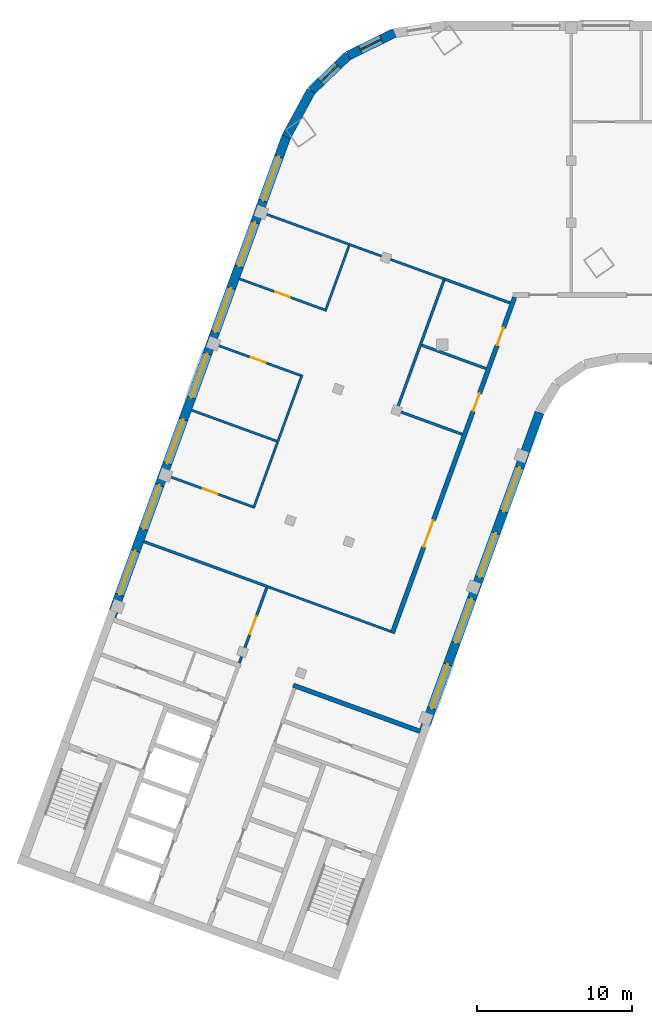
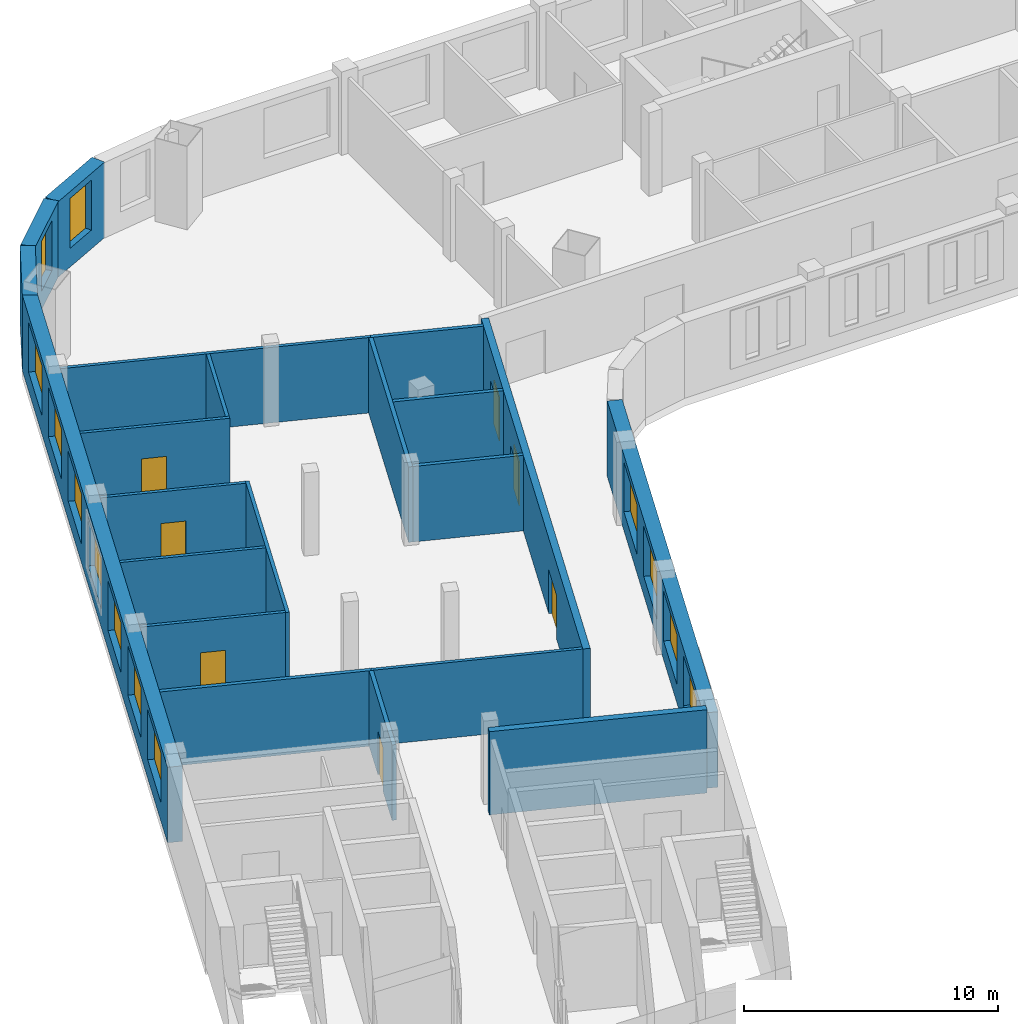
# One storey, part 3 of 8: 21 walls, 13 windows, 7 doors, 20 openings.
"""IFC4 building model written with IfcOpenShell, lengths in metres."""

from ifc_helpers import new_model, si_unit, direction, frame, frame_2d, origin, place, context, subcontext, project, spatial, rectangle, extrude, material, layer, layer_set, type_object, element, fill, save


model = new_model("IFC4")

# Units and contexts
model_context = context("Model", 3, precision=1e-05, world=origin(), true_north=direction((0.0, 1.0)))
body_context = subcontext(model_context, "Body", "Model", "MODEL_VIEW")
ifc_project = project(units=[si_unit("LENGTHUNIT", "METRE"), si_unit("AREAUNIT", "SQUARE_METRE"), si_unit("VOLUMEUNIT", "CUBIC_METRE"), si_unit("PLANEANGLEUNIT", "RADIAN"), si_unit("MASSUNIT", "GRAM", prefix="KILO")], contexts=[model_context])

# Site, building, storey
site_placement = place(None, origin())
site = spatial("IfcSite", under=ifc_project, at=site_placement, CompositionType="ELEMENT")
building_placement = place(site_placement, origin())
building = spatial("IfcBuilding", under=site, at=building_placement, Name="Skarvind Civic Tower", CompositionType="ELEMENT")
storey_placement = place(building_placement, frame((0.0, 0.0, 224.0)))
storey = spatial("IfcBuildingStorey", under=building, at=storey_placement, Name="L53", CompositionType="ELEMENT", Elevation=224.0)

# Wall
ifc_material_1 = material(Name="Acoustic gypsum board on steel studs", Category="steel")
ifc_layer_1 = layer(ifc_material_1, 0.175048828125)
ifc_layer_set_1 = layer_set([ifc_layer_1], Name="ACOUSTIC MEETING-ROOM PARTITION 175")
wall_type_1 = type_object("IfcWallType", Name="ACOUSTIC MEETING-ROOM PARTITION 175", PredefinedType="PARTITIONING", material=ifc_layer_set_1)
wall_1_placement = place(storey_placement, frame((26.736083984375, 105.47998046875, 0.0), z_axis=(0.0, 0.0, 1.0), x_axis=(0.939706509432, -0.341981982173, 0.0)))
element("IfcWall", 1, at=wall_1_placement, inside=storey, type_object=wall_type_1, Name="Partition 53.001", PredefinedType="PARTITIONING", context=body_context, shape_type="SweptSolid", body=[
    extrude(rectangle(XDim=8.450439453125, YDim=0.175048828125, at=frame_2d((4.22509765625, 0.0))), origin(), (0.0, 0.0, 1.0), 3.625),
])

# Wall, opening, door
wall_2_placement = place(storey_placement, frame((32.881103515625, 97.656982421875, 0.0), z_axis=(0.0, 0.0, 1.0), x_axis=(0.342058204353, 0.939678766832, 0.0)))
wall_2 = element("IfcWall", 2, at=wall_2_placement, inside=storey, type_object=wall_type_1, Name="Partition 53.007", PredefinedType="PARTITIONING", context=body_context, shape_type="SweptSolid", body=[
    extrude(rectangle(XDim=5.16259765625, YDim=0.175048828125, at=frame_2d((2.581298828125, 0.0))), origin(), (0.0, 0.0, 1.0), 3.625),
])
opening_1_placement = place(wall_2_placement, frame((1.9912109375, 0.0, 0.0)))
opening_1 = element("IfcOpeningElement", 3, at=opening_1_placement, cuts=wall_2, Name="Opening L53-D015", PredefinedType="OPENING", context=body_context, shape_type="SweptSolid", body=[
    extrude(rectangle(XDim=1.199951171875, YDim=2.10009765625, at=frame_2d((0.60009765625, 1.050048828125))), frame((0.0, 0.097412109375, 0.0), z_axis=(0.0, -1.0, 0.0), x_axis=(1.0, 0.0, 0.0)), (0.0, 0.0, 1.0), 0.195068359375),
])
ifc_material_2 = material(Name="Timber door leaf", Category="wood")
door_type_1 = type_object("IfcDoorType", Name="DOOR 1200X2100 DOUBLE TIMBER", OperationType="NOTDEFINED", PredefinedType="DOOR", material=ifc_material_2)
door_1_placement = place(opening_1_placement, origin())
door_1 = element("IfcDoor", 4, at=door_1_placement, inside=storey, type_object=door_type_1, Name="Door L53-D015", OperationType="DOUBLE_DOOR_SINGLE_SWING", OverallHeight=2.10009765625, OverallWidth=1.199951171875, PredefinedType="DOOR", context=body_context, shape_type="SweptSolid", body=[
    extrude(rectangle(XDim=1.199951171875, YDim=2.10009765625, at=frame_2d((0.60009765625, 1.050048828125))), frame((0.0, 0.02490234375, 0.0), z_axis=(0.0, -1.0, 0.0), x_axis=(1.0, 0.0, 0.0)), (0.0, 0.0, 1.0), 0.050048828125),
])
fill(opening_1, door_1)

# Walls
for number, where, z_axis, x_axis, name in (
    (5, (43.087890625, 113.89501953125, 0.0), (0.0, 0.0, 1.0), (0.939691598517, -0.342022951975, 0.0), "Partition 53.012"),
    (6, (44.626953125, 118.1240234375, 0.0), (0.0, 0.0, 1.0), (0.939691598517, -0.342022951975, 0.0), "Partition 53.013"),
):
    element("IfcWall", number, at=place(storey_placement, frame(where, z_axis=z_axis, x_axis=x_axis)), inside=storey, type_object=wall_type_1, Name=name, PredefinedType="PARTITIONING", context=body_context, shape_type="SweptSolid", body=[
        extrude(rectangle(XDim=4.412109375, YDim=0.175048828125, at=frame_2d((2.2060546875, 0.0))), origin(), (0.0, 0.0, 1.0), 3.625),
    ])
wall_3_placement = place(storey_placement, frame((46.053955078125, 122.301025390625, 0.0), z_axis=(0.0, 0.0, 1.0), x_axis=(-0.341963022424, -0.939713409128, 0.0)))
element("IfcWall", 7, at=wall_3_placement, inside=storey, type_object=wall_type_1, Name="Partition 53.014", PredefinedType="PARTITIONING", context=body_context, shape_type="SweptSolid", body=[
    extrude(rectangle(XDim=9.000732421875, YDim=0.175048828125, at=frame_2d((4.50048828125, 0.0))), origin(), (0.0, 0.0, 1.0), 3.625),
])
wall_4_placement = place(storey_placement, frame((50.31201171875, 120.843017578125, 0.0), z_axis=(0.0, 0.0, 1.0), x_axis=(-0.939609529273, 0.342248349154, 0.0)))
element("IfcWall", 8, at=wall_4_placement, inside=storey, type_object=wall_type_1, Name="Partition 53.015", PredefinedType="PARTITIONING", context=body_context, shape_type="SweptSolid", body=[
    extrude(rectangle(XDim=4.499755859375, YDim=0.175048828125, at=frame_2d((2.25, 0.0))), origin(), (0.0, 0.0, 1.0), 3.625),
])

# Wall, openings, doors
ifc_material_3 = material(Name="Fire-rated gypsum board on steel studs", Category="steel")
ifc_layer_2 = layer(ifc_material_3, 0.300048828125)
ifc_layer_set_2 = layer_set([ifc_layer_2], Name="CORRIDOR WALL 300")
wall_type_2 = type_object("IfcWallType", Name="CORRIDOR WALL 300", PredefinedType="PARTITIONING", material=ifc_layer_set_2)
wall_5_placement = place(storey_placement, frame((42.73193359375, 99.5791015625, 0.0), z_axis=(0.0, 0.0, 1.0), x_axis=(0.342036000593, 0.939686849061, 0.0)))
wall_5 = element("IfcWall", 9, at=wall_5_placement, inside=storey, type_object=wall_type_2, Name="Partition 53.011", PredefinedType="PARTITIONING", context=body_context, shape_type="SweptSolid", body=[
    extrude(rectangle(XDim=23.01806640625, YDim=0.300048828125, at=frame_2d((11.509033203125, 0.0))), origin(), (0.0, 0.0, 1.0), 3.625),
])
opening_2_placement = place(wall_5_placement, frame((15.224853515625, 0.0, 0.0)))
opening_2 = element("IfcOpeningElement", 10, at=opening_2_placement, cuts=wall_5, Name="Opening L53-D016", PredefinedType="OPENING", context=body_context, shape_type="SweptSolid", body=[
    extrude(rectangle(XDim=1.199951171875, YDim=2.10009765625, at=frame_2d((0.60009765625, 1.050048828125))), frame((0.0, 0.159912109375, 0.0), z_axis=(0.0, -1.0, 0.0), x_axis=(1.0, 0.0, 0.0)), (0.0, 0.0, 1.0), 0.320068359375),
])
opening_3_placement = place(wall_5_placement, frame((19.724609375, 0.0, 0.0)))
opening_3 = element("IfcOpeningElement", 11, at=opening_3_placement, cuts=wall_5, Name="Opening L53-D017", PredefinedType="OPENING", context=body_context, shape_type="SweptSolid", body=[
    extrude(rectangle(XDim=1.199951171875, YDim=2.10009765625, at=frame_2d((0.60009765625, 1.050048828125))), frame((0.0, 0.159912109375, 0.0), z_axis=(0.0, -1.0, 0.0), x_axis=(1.0, 0.0, 0.0)), (0.0, 0.0, 1.0), 0.320068359375),
])
opening_4_placement = place(wall_5_placement, frame((5.924560546875, 0.0, 0.0)))
opening_4 = element("IfcOpeningElement", 12, at=opening_4_placement, cuts=wall_5, Name="Opening L53-D021", PredefinedType="OPENING", context=body_context, shape_type="SweptSolid", body=[
    extrude(rectangle(XDim=1.800048828125, YDim=2.10009765625, at=frame_2d((0.89990234375, 1.050048828125))), frame((0.0, 0.159912109375, 0.0), z_axis=(0.0, -1.0, 0.0), x_axis=(1.0, 0.0, 0.0)), (0.0, 0.0, 1.0), 0.320068359375),
])
ifc_material_4 = material(Name="Fire-rated timber door leaf", Category="wood")
door_type_2 = type_object("IfcDoorType", Name="FD4 1800x2100", OperationType="NOTDEFINED", PredefinedType="DOOR", material=ifc_material_4)
door_2_placement = place(opening_4_placement, origin())
door_2 = element("IfcDoor", 13, at=door_2_placement, inside=storey, type_object=door_type_2, Name="Door L53-D021", OperationType="DOUBLE_DOOR_SINGLE_SWING", OverallHeight=2.10009765625, OverallWidth=1.800048828125, PredefinedType="DOOR", context=body_context, shape_type="SweptSolid", body=[
    extrude(rectangle(XDim=1.800048828125, YDim=2.10009765625, at=frame_2d((0.89990234375, 1.050048828125))), frame((0.0, 0.02490234375, 0.0), z_axis=(0.0, -1.0, 0.0), x_axis=(1.0, 0.0, 0.0)), (0.0, 0.0, 1.0), 0.050048828125),
])
fill(opening_4, door_2)
door_type_3 = type_object("IfcDoorType", Name="FD6 1200x2100 DOUBLE", OperationType="NOTDEFINED", PredefinedType="DOOR", material=ifc_material_4)
door_3_placement = place(opening_2_placement, origin())
door_3 = element("IfcDoor", 14, at=door_3_placement, inside=storey, type_object=door_type_3, Name="Door L53-D016", OperationType="DOUBLE_DOOR_SINGLE_SWING", OverallHeight=2.10009765625, OverallWidth=1.199951171875, PredefinedType="DOOR", context=body_context, shape_type="SweptSolid", body=[
    extrude(rectangle(XDim=1.199951171875, YDim=2.10009765625, at=frame_2d((0.60009765625, 1.050048828125))), frame((0.0, 0.02490234375, 0.0), z_axis=(0.0, -1.0, 0.0), x_axis=(1.0, 0.0, 0.0)), (0.0, 0.0, 1.0), 0.050048828125),
])
fill(opening_2, door_3)
door_4_placement = place(opening_3_placement, origin())
door_4 = element("IfcDoor", 15, at=door_4_placement, inside=storey, type_object=door_type_3, Name="Door L53-D017", OperationType="DOUBLE_DOOR_SINGLE_SWING", OverallHeight=2.10009765625, OverallWidth=1.199951171875, PredefinedType="DOOR", context=body_context, shape_type="SweptSolid", body=[
    extrude(rectangle(XDim=1.199951171875, YDim=2.10009765625, at=frame_2d((0.60009765625, 1.050048828125))), frame((0.0, 0.02490234375, 0.0), z_axis=(0.0, -1.0, 0.0), x_axis=(1.0, 0.0, 0.0)), (0.0, 0.0, 1.0), 0.050048828125),
])
fill(opening_3, door_4)

# Walls
ifc_material_5 = material(Name="Concrete C60", Category="concrete")
ifc_layer_3 = layer(ifc_material_5, 0.300048828125)
ifc_layer_set_3 = layer_set([ifc_layer_3], Name="Core wall 300 C60")
wall_type_3 = type_object("IfcWallType", Name="Core wall 300 C60", PredefinedType="SHEAR", material=ifc_layer_set_3)
wall_6_placement = place(storey_placement, frame((44.52880859375, 93.258056640625, 0.0), z_axis=(0.0, 0.0, 1.0), x_axis=(-0.9396917844, 0.342022441267, 0.0)))
element("IfcWall", 16, at=wall_6_placement, inside=storey, type_object=wall_type_3, Name="Core wall C2 south inner face L53", PredefinedType="SHEAR", context=body_context, shape_type="SweptSolid", body=[
    extrude(rectangle(XDim=8.699951171875, YDim=0.300048828125, at=frame_2d((4.35009765625, 0.0))), origin(), (0.0, 0.0, 1.0), 4.0),
])
ifc_material_6 = material(Name="Plasterboard partition on steel studs", Category="steel")
ifc_layer_4 = layer(ifc_material_6, 0.14990234375)
ifc_layer_set_4 = layer_set([ifc_layer_4], Name="PARTITION 150")
wall_type_4 = type_object("IfcWallType", Name="PARTITION 150", PredefinedType="PARTITIONING", material=ifc_layer_set_4)
wall_7_placement = place(storey_placement, frame((29.81396484375, 113.93798828125, 0.0), z_axis=(0.0, 0.0, 1.0), x_axis=(0.939738354986, -0.341894463495, 0.0)))
element("IfcWall", 17, at=wall_7_placement, inside=storey, type_object=wall_type_4, Name="Partition 53.002", PredefinedType="PARTITIONING", context=body_context, shape_type="SweptSolid", body=[
    extrude(rectangle(XDim=5.826171875, YDim=0.14990234375, at=frame_2d((2.9130859375, 0.0))), origin(), (0.0, 0.0, 1.0), 3.625),
])

# Wall, opening, door
wall_8_placement = place(storey_placement, frame((31.35302734375, 118.166015625, 0.0), z_axis=(0.0, 0.0, 1.0), x_axis=(0.939733456466, -0.341907927371, 0.0)))
wall_8 = element("IfcWall", 18, at=wall_8_placement, inside=storey, type_object=wall_type_4, Name="Partition 53.003", PredefinedType="PARTITIONING", context=body_context, shape_type="SweptSolid", body=[
    extrude(rectangle(XDim=5.825927734375, YDim=0.14990234375, at=frame_2d((2.9130859375, 0.0))), origin(), (0.0, 0.0, 1.0), 3.625),
])
opening_5_placement = place(wall_8_placement, frame((2.42333984375, 0.0, 0.0)))
opening_5 = element("IfcOpeningElement", 19, at=opening_5_placement, cuts=wall_8, Name="Opening L53-D019", PredefinedType="OPENING", context=body_context, shape_type="SweptSolid", body=[
    extrude(rectangle(XDim=1.0, YDim=2.10009765625, at=frame_2d((0.5, 1.050048828125))), frame((0.0, 0.0849609375, 0.0), z_axis=(0.0, -1.0, 0.0), x_axis=(1.0, 0.0, 0.0)), (0.0, 0.0, 1.0), 0.169921875),
])
door_type_4 = type_object("IfcDoorType", Name="D1 1000x2100", OperationType="NOTDEFINED", PredefinedType="DOOR", material=ifc_material_2)
door_5_placement = place(opening_5_placement, origin())
door_5 = element("IfcDoor", 20, at=door_5_placement, inside=storey, type_object=door_type_4, Name="Door L53-D019", OperationType="SINGLE_SWING_LEFT", OverallHeight=2.10009765625, OverallWidth=1.0, PredefinedType="DOOR", context=body_context, shape_type="SweptSolid", body=[
    extrude(rectangle(XDim=1.0, YDim=2.10009765625, at=frame_2d((0.5, 1.050048828125))), frame((0.0, 0.02490234375, 0.0), z_axis=(0.0, -1.0, 0.0), x_axis=(1.0, 0.0, 0.0)), (0.0, 0.0, 1.0), 0.050048828125),
])
fill(opening_5, door_5)

wall_9_placement = place(storey_placement, frame((33.7490234375, 107.717041015625, 0.0), z_axis=(0.0, 0.0, 1.0), x_axis=(-0.939718757431, 0.341948324943, 0.0)))
wall_9 = element("IfcWall", 21, at=wall_9_placement, inside=storey, type_object=wall_type_4, Name="Partition 53.004", PredefinedType="PARTITIONING", context=body_context, shape_type="SweptSolid", body=[
    extrude(rectangle(XDim=5.8251953125, YDim=0.14990234375, at=frame_2d((2.91259765625, 0.0))), origin(), (0.0, 0.0, 1.0), 3.625),
])
opening_6_placement = place(wall_9_placement, frame((2.402587890625, 0.0, 0.0)))
opening_6 = element("IfcOpeningElement", 22, at=opening_6_placement, cuts=wall_9, Name="Opening L53-D018", PredefinedType="OPENING", context=body_context, shape_type="SweptSolid", body=[
    extrude(rectangle(XDim=1.0, YDim=2.10009765625, at=frame_2d((0.5, 1.050048828125))), frame((0.0, 0.0849609375, 0.0), z_axis=(0.0, -1.0, 0.0), x_axis=(1.0, 0.0, 0.0)), (0.0, 0.0, 1.0), 0.169921875),
])
door_6_placement = place(opening_6_placement, origin())
door_6 = element("IfcDoor", 23, at=door_6_placement, inside=storey, type_object=door_type_4, Name="Door L53-D018", OperationType="SINGLE_SWING_LEFT", OverallHeight=2.10009765625, OverallWidth=1.0, PredefinedType="DOOR", context=body_context, shape_type="SweptSolid", body=[
    extrude(rectangle(XDim=1.0, YDim=2.10009765625, at=frame_2d((0.5, 1.050048828125))), frame((0.0, 0.02490234375, 0.0), z_axis=(0.0, -1.0, 0.0), x_axis=(1.0, 0.0, 0.0)), (0.0, 0.0, 1.0), 0.050048828125),
])
fill(opening_6, door_6)

# Walls
wall_10_placement = place(storey_placement, frame((36.924072265625, 116.218017578125, 0.0), z_axis=(0.0, 0.0, 1.0), x_axis=(-0.342220796767, -0.939619564643, 0.0)))
element("IfcWall", 24, at=wall_10_placement, inside=storey, type_object=wall_type_4, Name="Partition 53.005", PredefinedType="PARTITIONING", context=body_context, shape_type="SweptSolid", body=[
    extrude(rectangle(XDim=9.1494140625, YDim=0.14990234375, at=frame_2d((4.57470703125, 0.0))), origin(), (0.0, 0.0, 1.0), 3.625),
])
wall_11_placement = place(storey_placement, frame((34.430908203125, 126.6240234375, 0.0), z_axis=(0.0, 0.0, 1.0), x_axis=(0.939703144457, -0.341991228392, 0.0)))
element("IfcWall", 25, at=wall_11_placement, inside=storey, type_object=wall_type_4, Name="Partition 53.006", PredefinedType="PARTITIONING", context=body_context, shape_type="SweptSolid", body=[
    extrude(rectangle(XDim=12.40087890625, YDim=0.14990234375, at=frame_2d((6.200439453125, 0.0))), origin(), (0.0, 0.0, 1.0), 3.625),
])
wall_12_placement = place(storey_placement, frame((34.677001953125, 102.590087890625, 0.0), z_axis=(0.0, 0.0, 1.0), x_axis=(0.939683705252, -0.342044637561, 0.0)))
element("IfcWall", 26, at=wall_12_placement, inside=storey, type_object=wall_type_4, Name="Partition 53.008", PredefinedType="PARTITIONING", context=body_context, shape_type="SweptSolid", body=[
    extrude(rectangle(XDim=8.44970703125, YDim=0.14990234375, at=frame_2d((4.224853515625, 0.0))), origin(), (0.0, 0.0, 1.0), 3.625),
])

# Wall, opening, door
wall_13_placement = place(storey_placement, frame((38.507080078125, 120.35107421875, 0.0), z_axis=(0.0, 0.0, 1.0), x_axis=(-0.939678850769, 0.342057973766, 0.0)))
wall_13 = element("IfcWall", 27, at=wall_13_placement, inside=storey, type_object=wall_type_4, Name="Partition 53.009", PredefinedType="PARTITIONING", context=body_context, shape_type="SweptSolid", body=[
    extrude(rectangle(XDim=5.975341796875, YDim=0.14990234375, at=frame_2d((2.98779296875, 0.0))), origin(), (0.0, 0.0, 1.0), 3.625),
])
opening_7_placement = place(wall_13_placement, frame((2.52490234375, 0.0, 0.0)))
opening_7 = element("IfcOpeningElement", 28, at=opening_7_placement, cuts=wall_13, Name="Opening L53-D020", PredefinedType="OPENING", context=body_context, shape_type="SweptSolid", body=[
    extrude(rectangle(XDim=1.0, YDim=2.10009765625, at=frame_2d((0.5, 1.050048828125))), frame((0.0, 0.0849609375, 0.0), z_axis=(0.0, -1.0, 0.0), x_axis=(1.0, 0.0, 0.0)), (0.0, 0.0, 1.0), 0.169921875),
])
door_7_placement = place(opening_7_placement, origin())
door_7 = element("IfcDoor", 29, at=door_7_placement, inside=storey, type_object=door_type_4, Name="Door L53-D020", OperationType="SINGLE_SWING_LEFT", OverallHeight=2.10009765625, OverallWidth=1.0, PredefinedType="DOOR", context=body_context, shape_type="SweptSolid", body=[
    extrude(rectangle(XDim=1.0, YDim=2.10009765625, at=frame_2d((0.5, 1.050048828125))), frame((0.0, 0.02490234375, 0.0), z_axis=(0.0, -1.0, 0.0), x_axis=(1.0, 0.0, 0.0)), (0.0, 0.0, 1.0), 0.050048828125),
])
fill(opening_7, door_7)

# Wall
wall_14_placement = place(storey_placement, frame((39.949951171875, 124.535888671875, 0.0), z_axis=(0.0, 0.0, 1.0), x_axis=(-0.341783611499, -0.939778677621, 0.0)))
element("IfcWall", 30, at=wall_14_placement, inside=storey, type_object=wall_type_4, Name="Partition 53.010", PredefinedType="PARTITIONING", context=body_context, shape_type="SweptSolid", body=[
    extrude(rectangle(XDim=4.350830078125, YDim=0.14990234375, at=frame_2d((2.17529296875, 0.0))), origin(), (0.0, 0.0, 1.0), 3.625),
])

# Wall, openings, windows
ifc_material_7 = material(Name="Limestone masonry cladding on insulated backing", Category="masonry")
ifc_layer_5 = layer(ifc_material_7, 0.60009765625)
ifc_layer_set_5 = layer_set([ifc_layer_5], Name="WX1 STONE FACADE WALL 600")
wall_type_5 = type_object("IfcWallType", Name="WX1 STONE FACADE WALL 600", PredefinedType="SOLIDWALL", material=ifc_layer_set_5)
wall_15_placement = place(storey_placement, frame((52.212158203125, 113.78271484375, 0.0), z_axis=(0.0, 0.0, 1.0), x_axis=(-0.34202521188, -0.939690775968, 0.0)))
wall_15 = element("IfcWall", 31, at=wall_15_placement, inside=storey, type_object=wall_type_5, Name="STONE FACADE WALL", PredefinedType="SOLIDWALL", context=body_context, shape_type="SweptSolid", body=[
    extrude(rectangle(XDim=21.744873046875, YDim=0.60009765625, at=frame_2d((10.87255859375, 0.0))), origin(), (0.0, 0.0, 1.0), 3.625),
])
opening_8_placement = place(wall_15_placement, frame((3.764892578125, 0.0, 0.89990234375)))
opening_8 = element("IfcOpeningElement", 32, at=opening_8_placement, cuts=wall_15, Name="Opening WN1", PredefinedType="OPENING", context=body_context, shape_type="SweptSolid", body=[
    extrude(rectangle(XDim=3.0, YDim=2.39990234375, at=frame_2d((1.5, 1.199951171875))), frame((0.0, 0.31005859375, 0.0), z_axis=(0.0, -1.0, 0.0), x_axis=(1.0, 0.0, 0.0)), (0.0, 0.0, 1.0), 0.6201171875),
])
opening_9_placement = place(wall_15_placement, frame((8.264892578125, 0.0, 0.89990234375)))
opening_9 = element("IfcOpeningElement", 33, at=opening_9_placement, cuts=wall_15, Name="Opening WN1", PredefinedType="OPENING", context=body_context, shape_type="SweptSolid", body=[
    extrude(rectangle(XDim=3.0, YDim=2.39990234375, at=frame_2d((1.5, 1.199951171875))), frame((0.0, 0.31005859375, 0.0), z_axis=(0.0, -1.0, 0.0), x_axis=(1.0, 0.0, 0.0)), (0.0, 0.0, 1.0), 0.6201171875),
])
opening_10_placement = place(wall_15_placement, frame((12.764892578125, 0.0, 0.89990234375)))
opening_10 = element("IfcOpeningElement", 34, at=opening_10_placement, cuts=wall_15, Name="Opening WN1", PredefinedType="OPENING", context=body_context, shape_type="SweptSolid", body=[
    extrude(rectangle(XDim=3.0, YDim=2.39990234375, at=frame_2d((1.5, 1.199951171875))), frame((0.0, 0.31005859375, 0.0), z_axis=(0.0, -1.0, 0.0), x_axis=(1.0, 0.0, 0.0)), (0.0, 0.0, 1.0), 0.6201171875),
])
opening_11_placement = place(wall_15_placement, frame((17.264892578125, 0.0, 0.89990234375)))
opening_11 = element("IfcOpeningElement", 35, at=opening_11_placement, cuts=wall_15, Name="Opening WN1", PredefinedType="OPENING", context=body_context, shape_type="SweptSolid", body=[
    extrude(rectangle(XDim=3.0, YDim=2.39990234375, at=frame_2d((1.5, 1.199951171875))), frame((0.0, 0.31005859375, 0.0), z_axis=(0.0, -1.0, 0.0), x_axis=(1.0, 0.0, 0.0)), (0.0, 0.0, 1.0), 0.6201171875),
])
ifc_material_8 = material(Name="Timber frame, double glazing, timber-lined reveal", Category="wood")
window_type_1 = type_object("IfcWindowType", Name="WN1 PUNCHED STONE WINDOW 3000 x 2400", PartitioningType="SINGLE_PANEL", PredefinedType="WINDOW", material=ifc_material_8)
window_1_placement = place(opening_8_placement, origin())
window_1 = element("IfcWindow", 36, at=window_1_placement, inside=storey, type_object=window_type_1, Name="WN1 WINDOW", OverallHeight=2.39990234375, OverallWidth=3.0, PartitioningType="SINGLE_PANEL", PredefinedType="WINDOW", context=body_context, shape_type="SweptSolid", body=[
    extrude(rectangle(XDim=3.0, YDim=2.39990234375, at=frame_2d((1.5, 1.199951171875))), frame((0.0, 0.030029296875, 0.0), z_axis=(0.0, -1.0, 0.0), x_axis=(1.0, 0.0, 0.0)), (0.0, 0.0, 1.0), 0.06005859375),
])
fill(opening_8, window_1)
window_2_placement = place(opening_9_placement, origin())
window_2 = element("IfcWindow", 37, at=window_2_placement, inside=storey, type_object=window_type_1, Name="WN1 WINDOW", OverallHeight=2.39990234375, OverallWidth=3.0, PartitioningType="SINGLE_PANEL", PredefinedType="WINDOW", context=body_context, shape_type="SweptSolid", body=[
    extrude(rectangle(XDim=3.0, YDim=2.39990234375, at=frame_2d((1.5, 1.199951171875))), frame((0.0, 0.030029296875, 0.0), z_axis=(0.0, -1.0, 0.0), x_axis=(1.0, 0.0, 0.0)), (0.0, 0.0, 1.0), 0.06005859375),
])
fill(opening_9, window_2)
window_3_placement = place(opening_10_placement, origin())
window_3 = element("IfcWindow", 38, at=window_3_placement, inside=storey, type_object=window_type_1, Name="WN1 WINDOW", OverallHeight=2.39990234375, OverallWidth=3.0, PartitioningType="SINGLE_PANEL", PredefinedType="WINDOW", context=body_context, shape_type="SweptSolid", body=[
    extrude(rectangle(XDim=3.0, YDim=2.39990234375, at=frame_2d((1.5, 1.199951171875))), frame((0.0, 0.030029296875, 0.0), z_axis=(0.0, -1.0, 0.0), x_axis=(1.0, 0.0, 0.0)), (0.0, 0.0, 1.0), 0.06005859375),
])
fill(opening_10, window_3)
window_4_placement = place(opening_11_placement, origin())
window_4 = element("IfcWindow", 39, at=window_4_placement, inside=storey, type_object=window_type_1, Name="WN1 WINDOW", OverallHeight=2.39990234375, OverallWidth=3.0, PartitioningType="SINGLE_PANEL", PredefinedType="WINDOW", context=body_context, shape_type="SweptSolid", body=[
    extrude(rectangle(XDim=3.0, YDim=2.39990234375, at=frame_2d((1.5, 1.199951171875))), frame((0.0, 0.030029296875, 0.0), z_axis=(0.0, -1.0, 0.0), x_axis=(1.0, 0.0, 0.0)), (0.0, 0.0, 1.0), 0.06005859375),
])
fill(opening_11, window_4)

# Wall, opening, window
wall_16_placement = place(storey_placement, frame((39.9072265625, 136.77587890625, 0.0), z_axis=(0.0, 0.0, 1.0), x_axis=(0.89761231107, 0.440785819889, 0.0)))
wall_16 = element("IfcWall", 40, at=wall_16_placement, inside=storey, type_object=wall_type_5, Name="STONE FACADE WALL", PredefinedType="SOLIDWALL", context=body_context, shape_type="SweptSolid", body=[
    extrude(rectangle(XDim=3.302734375, YDim=0.60009765625, at=frame_2d((1.6513671875, 0.0))), origin(), (0.0, 0.0, 1.0), 3.625),
])
opening_12_placement = place(wall_16_placement, frame((0.8564453125, 0.0, 0.89990234375)))
opening_12 = element("IfcOpeningElement", 41, at=opening_12_placement, cuts=wall_16, Name="Opening WN8", PredefinedType="OPENING", context=body_context, shape_type="SweptSolid", body=[
    extrude(rectangle(XDim=1.5, YDim=2.39990234375, at=frame_2d((0.75, 1.199951171875))), frame((0.0, 0.31005859375, 0.0), z_axis=(0.0, -1.0, 0.0), x_axis=(1.0, 0.0, 0.0)), (0.0, 0.0, 1.0), 0.6201171875),
])
window_type_2 = type_object("IfcWindowType", Name="WN8 ARC BAY WINDOW 1500 x 2400", PartitioningType="SINGLE_PANEL", PredefinedType="WINDOW", material=ifc_material_8)
window_5_placement = place(opening_12_placement, origin())
window_5 = element("IfcWindow", 42, at=window_5_placement, inside=storey, type_object=window_type_2, Name="WN8 WINDOW", OverallHeight=2.39990234375, OverallWidth=1.5, PartitioningType="SINGLE_PANEL", PredefinedType="WINDOW", context=body_context, shape_type="SweptSolid", body=[
    extrude(rectangle(XDim=1.5, YDim=2.39990234375, at=frame_2d((0.75, 1.199951171875))), frame((0.0, 0.030029296875, 0.0), z_axis=(0.0, -1.0, 0.0), x_axis=(1.0, 0.0, 0.0)), (0.0, 0.0, 1.0), 0.06005859375),
])
fill(opening_12, window_5)

wall_17_placement = place(storey_placement, frame((37.520263671875, 134.501220703125, 0.0), z_axis=(0.0, 0.0, 1.0), x_axis=(0.72115684486, 0.692771827596, 0.0)))
wall_17 = element("IfcWall", 43, at=wall_17_placement, inside=storey, type_object=wall_type_5, Name="STONE FACADE WALL", PredefinedType="SOLIDWALL", context=body_context, shape_type="SweptSolid", body=[
    extrude(rectangle(XDim=3.302734375, YDim=0.60009765625, at=frame_2d((1.6513671875, 0.0))), origin(), (0.0, 0.0, 1.0), 3.625),
])
opening_13_placement = place(wall_17_placement, frame((0.8564453125, 0.0, 0.89990234375)))
opening_13 = element("IfcOpeningElement", 44, at=opening_13_placement, cuts=wall_17, Name="Opening WN8", PredefinedType="OPENING", context=body_context, shape_type="SweptSolid", body=[
    extrude(rectangle(XDim=1.5, YDim=2.39990234375, at=frame_2d((0.75, 1.199951171875))), frame((0.0, 0.31005859375, 0.0), z_axis=(0.0, -1.0, 0.0), x_axis=(1.0, 0.0, 0.0)), (0.0, 0.0, 1.0), 0.6201171875),
])
window_6_placement = place(opening_13_placement, origin())
window_6 = element("IfcWindow", 45, at=window_6_placement, inside=storey, type_object=window_type_2, Name="WN8 WINDOW", OverallHeight=2.39990234375, OverallWidth=1.5, PartitioningType="SINGLE_PANEL", PredefinedType="WINDOW", context=body_context, shape_type="SweptSolid", body=[
    extrude(rectangle(XDim=1.5, YDim=2.39990234375, at=frame_2d((0.75, 1.199951171875))), frame((0.0, 0.030029296875, 0.0), z_axis=(0.0, -1.0, 0.0), x_axis=(1.0, 0.0, 0.0)), (0.0, 0.0, 1.0), 0.06005859375),
])
fill(opening_13, window_6)

# Wall
wall_18_placement = place(storey_placement, frame((35.89453125, 131.529541015625, 0.0), z_axis=(0.0, 0.0, 1.0), x_axis=(0.476531180538, 0.879157570618, 0.0)))
element("IfcWall", 46, at=wall_18_placement, inside=storey, type_object=wall_type_5, Name="STONE FACADE WALL", PredefinedType="SOLIDWALL", context=body_context, shape_type="SweptSolid", body=[
    extrude(rectangle(XDim=3.392578125, YDim=0.60009765625, at=frame_2d((1.6962890625, 0.0))), origin(), (0.0, 0.0, 1.0), 3.625),
])

# Wall, openings, windows
wall_19_placement = place(storey_placement, frame((24.66552734375, 100.668701171875, 0.0), z_axis=(0.0, 0.0, 1.0), x_axis=(0.34201964167, 0.939692803373, 0.0)))
wall_19 = element("IfcWall", 47, at=wall_19_placement, inside=storey, type_object=wall_type_5, Name="STONE FACADE WALL", PredefinedType="SOLIDWALL", context=body_context, shape_type="SweptSolid", body=[
    extrude(rectangle(XDim=32.88427734375, YDim=0.60009765625, at=frame_2d((16.442138671875, 0.0))), origin(), (0.0, 0.0, 1.0), 3.625),
])
opening_14_placement = place(wall_19_placement, frame((1.47998046875, 0.0, 0.89990234375)))
opening_14 = element("IfcOpeningElement", 48, at=opening_14_placement, cuts=wall_19, Name="Opening WN1", PredefinedType="OPENING", context=body_context, shape_type="SweptSolid", body=[
    extrude(rectangle(XDim=3.0, YDim=2.39990234375, at=frame_2d((1.5, 1.199951171875))), frame((0.0, 0.31005859375, 0.0), z_axis=(0.0, -1.0, 0.0), x_axis=(1.0, 0.0, 0.0)), (0.0, 0.0, 1.0), 0.6201171875),
])
opening_15_placement = place(wall_19_placement, frame((5.97998046875, 0.0, 0.89990234375)))
opening_15 = element("IfcOpeningElement", 49, at=opening_15_placement, cuts=wall_19, Name="Opening WN1", PredefinedType="OPENING", context=body_context, shape_type="SweptSolid", body=[
    extrude(rectangle(XDim=3.0, YDim=2.39990234375, at=frame_2d((1.5, 1.199951171875))), frame((0.0, 0.31005859375, 0.0), z_axis=(0.0, -1.0, 0.0), x_axis=(1.0, 0.0, 0.0)), (0.0, 0.0, 1.0), 0.6201171875),
])
opening_16_placement = place(wall_19_placement, frame((10.47998046875, 0.0, 0.89990234375)))
opening_16 = element("IfcOpeningElement", 50, at=opening_16_placement, cuts=wall_19, Name="Opening WN1", PredefinedType="OPENING", context=body_context, shape_type="SweptSolid", body=[
    extrude(rectangle(XDim=3.0, YDim=2.39990234375, at=frame_2d((1.5, 1.199951171875))), frame((0.0, 0.31005859375, 0.0), z_axis=(0.0, -1.0, 0.0), x_axis=(1.0, 0.0, 0.0)), (0.0, 0.0, 1.0), 0.6201171875),
])
opening_17_placement = place(wall_19_placement, frame((14.97998046875, 0.0, 0.89990234375)))
opening_17 = element("IfcOpeningElement", 51, at=opening_17_placement, cuts=wall_19, Name="Opening WN1", PredefinedType="OPENING", context=body_context, shape_type="SweptSolid", body=[
    extrude(rectangle(XDim=3.0, YDim=2.39990234375, at=frame_2d((1.5, 1.199951171875))), frame((0.0, 0.31005859375, 0.0), z_axis=(0.0, -1.0, 0.0), x_axis=(1.0, 0.0, 0.0)), (0.0, 0.0, 1.0), 0.6201171875),
])
opening_18_placement = place(wall_19_placement, frame((19.47998046875, 0.0, 0.89990234375)))
opening_18 = element("IfcOpeningElement", 52, at=opening_18_placement, cuts=wall_19, Name="Opening WN1", PredefinedType="OPENING", context=body_context, shape_type="SweptSolid", body=[
    extrude(rectangle(XDim=3.0, YDim=2.39990234375, at=frame_2d((1.5, 1.199951171875))), frame((0.0, 0.31005859375, 0.0), z_axis=(0.0, -1.0, 0.0), x_axis=(1.0, 0.0, 0.0)), (0.0, 0.0, 1.0), 0.6201171875),
])
opening_19_placement = place(wall_19_placement, frame((23.97998046875, 0.0, 0.89990234375)))
opening_19 = element("IfcOpeningElement", 53, at=opening_19_placement, cuts=wall_19, Name="Opening WN1", PredefinedType="OPENING", context=body_context, shape_type="SweptSolid", body=[
    extrude(rectangle(XDim=3.0, YDim=2.39990234375, at=frame_2d((1.5, 1.199951171875))), frame((0.0, 0.31005859375, 0.0), z_axis=(0.0, -1.0, 0.0), x_axis=(1.0, 0.0, 0.0)), (0.0, 0.0, 1.0), 0.6201171875),
])
opening_20_placement = place(wall_19_placement, frame((28.47998046875, 0.0, 0.89990234375)))
opening_20 = element("IfcOpeningElement", 54, at=opening_20_placement, cuts=wall_19, Name="Opening WN1", PredefinedType="OPENING", context=body_context, shape_type="SweptSolid", body=[
    extrude(rectangle(XDim=3.0, YDim=2.39990234375, at=frame_2d((1.5, 1.199951171875))), frame((0.0, 0.31005859375, 0.0), z_axis=(0.0, -1.0, 0.0), x_axis=(1.0, 0.0, 0.0)), (0.0, 0.0, 1.0), 0.6201171875),
])
window_7_placement = place(opening_14_placement, origin())
window_7 = element("IfcWindow", 55, at=window_7_placement, inside=storey, type_object=window_type_1, Name="WN1 WINDOW", OverallHeight=2.39990234375, OverallWidth=3.0, PartitioningType="SINGLE_PANEL", PredefinedType="WINDOW", context=body_context, shape_type="SweptSolid", body=[
    extrude(rectangle(XDim=3.0, YDim=2.39990234375, at=frame_2d((1.5, 1.199951171875))), frame((0.0, 0.030029296875, 0.0), z_axis=(0.0, -1.0, 0.0), x_axis=(1.0, 0.0, 0.0)), (0.0, 0.0, 1.0), 0.06005859375),
])
fill(opening_14, window_7)
window_8_placement = place(opening_15_placement, origin())
window_8 = element("IfcWindow", 56, at=window_8_placement, inside=storey, type_object=window_type_1, Name="WN1 WINDOW", OverallHeight=2.39990234375, OverallWidth=3.0, PartitioningType="SINGLE_PANEL", PredefinedType="WINDOW", context=body_context, shape_type="SweptSolid", body=[
    extrude(rectangle(XDim=3.0, YDim=2.39990234375, at=frame_2d((1.5, 1.199951171875))), frame((0.0, 0.030029296875, 0.0), z_axis=(0.0, -1.0, 0.0), x_axis=(1.0, 0.0, 0.0)), (0.0, 0.0, 1.0), 0.06005859375),
])
fill(opening_15, window_8)
window_9_placement = place(opening_16_placement, origin())
window_9 = element("IfcWindow", 57, at=window_9_placement, inside=storey, type_object=window_type_1, Name="WN1 WINDOW", OverallHeight=2.39990234375, OverallWidth=3.0, PartitioningType="SINGLE_PANEL", PredefinedType="WINDOW", context=body_context, shape_type="SweptSolid", body=[
    extrude(rectangle(XDim=3.0, YDim=2.39990234375, at=frame_2d((1.5, 1.199951171875))), frame((0.0, 0.030029296875, 0.0), z_axis=(0.0, -1.0, 0.0), x_axis=(1.0, 0.0, 0.0)), (0.0, 0.0, 1.0), 0.06005859375),
])
fill(opening_16, window_9)
window_10_placement = place(opening_17_placement, origin())
window_10 = element("IfcWindow", 58, at=window_10_placement, inside=storey, type_object=window_type_1, Name="WN1 WINDOW", OverallHeight=2.39990234375, OverallWidth=3.0, PartitioningType="SINGLE_PANEL", PredefinedType="WINDOW", context=body_context, shape_type="SweptSolid", body=[
    extrude(rectangle(XDim=3.0, YDim=2.39990234375, at=frame_2d((1.5, 1.199951171875))), frame((0.0, 0.030029296875, 0.0), z_axis=(0.0, -1.0, 0.0), x_axis=(1.0, 0.0, 0.0)), (0.0, 0.0, 1.0), 0.06005859375),
])
fill(opening_17, window_10)
window_11_placement = place(opening_18_placement, origin())
window_11 = element("IfcWindow", 59, at=window_11_placement, inside=storey, type_object=window_type_1, Name="WN1 WINDOW", OverallHeight=2.39990234375, OverallWidth=3.0, PartitioningType="SINGLE_PANEL", PredefinedType="WINDOW", context=body_context, shape_type="SweptSolid", body=[
    extrude(rectangle(XDim=3.0, YDim=2.39990234375, at=frame_2d((1.5, 1.199951171875))), frame((0.0, 0.030029296875, 0.0), z_axis=(0.0, -1.0, 0.0), x_axis=(1.0, 0.0, 0.0)), (0.0, 0.0, 1.0), 0.06005859375),
])
fill(opening_18, window_11)
window_12_placement = place(opening_19_placement, origin())
window_12 = element("IfcWindow", 60, at=window_12_placement, inside=storey, type_object=window_type_1, Name="WN1 WINDOW", OverallHeight=2.39990234375, OverallWidth=3.0, PartitioningType="SINGLE_PANEL", PredefinedType="WINDOW", context=body_context, shape_type="SweptSolid", body=[
    extrude(rectangle(XDim=3.0, YDim=2.39990234375, at=frame_2d((1.5, 1.199951171875))), frame((0.0, 0.030029296875, 0.0), z_axis=(0.0, -1.0, 0.0), x_axis=(1.0, 0.0, 0.0)), (0.0, 0.0, 1.0), 0.06005859375),
])
fill(opening_19, window_12)
window_13_placement = place(opening_20_placement, origin())
window_13 = element("IfcWindow", 61, at=window_13_placement, inside=storey, type_object=window_type_1, Name="WN1 WINDOW", OverallHeight=2.39990234375, OverallWidth=3.0, PartitioningType="SINGLE_PANEL", PredefinedType="WINDOW", context=body_context, shape_type="SweptSolid", body=[
    extrude(rectangle(XDim=3.0, YDim=2.39990234375, at=frame_2d((1.5, 1.199951171875))), frame((0.0, 0.030029296875, 0.0), z_axis=(0.0, -1.0, 0.0), x_axis=(1.0, 0.0, 0.0)), (0.0, 0.0, 1.0), 0.06005859375),
])
fill(opening_20, window_13)

save(model, "model.ifc")
